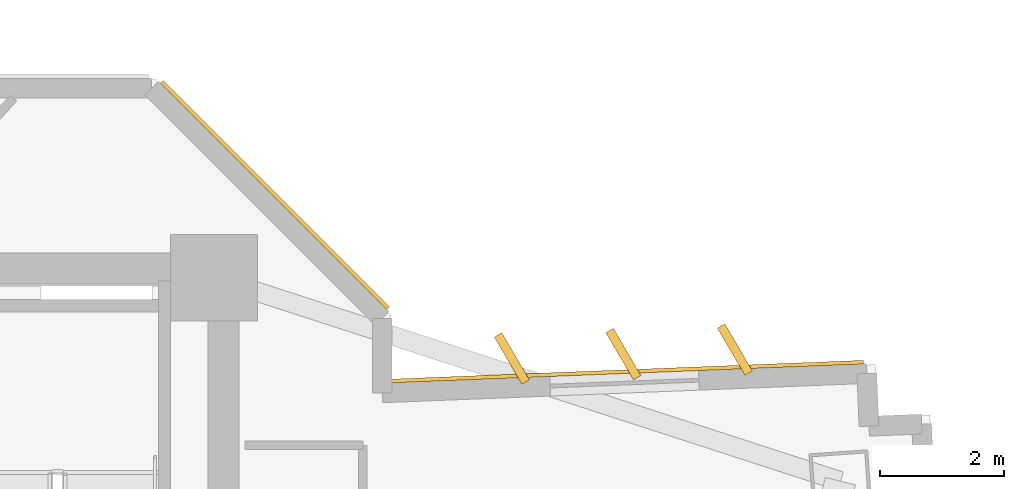
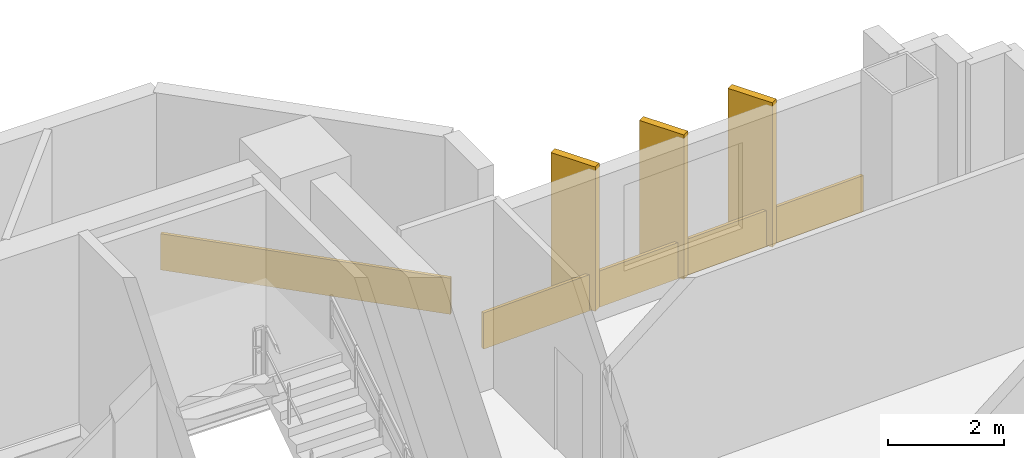
# One storey, part 16 of 16: 5 coverings.
"""IFC4 building model written with IfcOpenShell, lengths in metres."""

from ifc_helpers import new_model, si_unit, direction, frame, origin, origin_2d, place, context, subcontext, project, spatial, rectangle, extrude, source, transform, mapped, material, layer, layer_set, type_object, element, save


model = new_model("IFC4")

# Units and contexts
model_context = context("Model", 3, precision=1e-05, world=origin(), true_north=direction((0.0, 1.0)))
body_context = subcontext(model_context, "Body", "Model", "MODEL_VIEW")
ifc_project = project(units=[si_unit("LENGTHUNIT", "METRE"), si_unit("AREAUNIT", "SQUARE_METRE"), si_unit("VOLUMEUNIT", "CUBIC_METRE"), si_unit("PLANEANGLEUNIT", "RADIAN"), si_unit("MASSUNIT", "GRAM", prefix="KILO")], contexts=[model_context])

# Site, building, storey
site_placement = place(None, origin())
site = spatial("IfcSite", under=ifc_project, at=site_placement, CompositionType="ELEMENT")
building_placement = place(site_placement, origin())
building = spatial("IfcBuilding", under=site, at=building_placement, Name="Zahravan Cultural Tower", CompositionType="ELEMENT")
storey_placement = place(building_placement, frame((0.0, 0.0, 58.5)))
storey = spatial("IfcBuildingStorey", under=building, at=storey_placement, Name="L12", CompositionType="ELEMENT", Elevation=58.5)

# Coverings
ifc_material = material(Name="Terracotta ceramic cladding", Category="masonry")
ifc_layer = layer(ifc_material, 0.06005859375)
ifc_layer_set = layer_set([ifc_layer], Name="Terracotta ceramic cladding")
covering_type = type_object("IfcCoveringType", Name="COV-CLAD-TC60", PredefinedType="CLADDING", material=ifc_layer_set)
shared_shape_1 = source(origin(), body_context, "Body", "SweptSolid", [
    extrude(rectangle(XDim=5.157958984375, YDim=0.06005859375, at=origin_2d()), origin(), (0.0, 0.0, 1.0), 0.760009765625),
])
covering_1_placement = place(storey_placement, frame((51.331787109375, 37.53173828125, 0.02001953125), z_axis=(0.0, 0.0, 1.0), x_axis=(0.707106781187, -0.707106781187, 0.0)))
element("IfcCovering", 1, at=covering_1_placement, inside=storey, type_object=covering_type, Name="L12 Terracotta Spandrel Cladding 53", PredefinedType="CLADDING", context=body_context, shape_type="MappedRepresentation", body=[
    mapped(shared_shape_1, transform((0.0, 0.0, 0.0), x_axis=(1.0, 0.0, 0.0), y_axis=(0.0, 1.0, 0.0), z_axis=(0.0, 0.0, 1.0), scale=1.0)),
])
shared_shape_2 = source(origin(), body_context, "Body", "SweptSolid", [
    extrude(rectangle(XDim=0.8798828125, YDim=0.139892578125, at=origin_2d()), origin(), (0.0, 0.0, 1.0), 3.030029296875),
])
for number, where, z_axis, x_axis, name in (
    (2, (55.150390625, 34.898193359375, 0.0498046875), (0.0, 0.0, 1.0), (-0.504226211181, 0.863571611366, 0.0), "L12 Herringbone Terracotta Fin 01"),
    (3, (56.948974609375, 34.9697265625, 0.0498046875), (0.0, 0.0, 1.0), (-0.504226211181, 0.863571611366, 0.0), "L12 Herringbone Terracotta Fin 02"),
    (4, (58.747314453125, 35.041259765625, 0.0498046875), (0.0, 0.0, 1.0), (-0.504226211181, 0.863571611366, 0.0), "L12 Herringbone Terracotta Fin 03"),
):
    element("IfcCovering", number, at=place(storey_placement, frame(where, z_axis=z_axis, x_axis=x_axis)), inside=storey, type_object=covering_type, Name=name, PredefinedType="CLADDING", context=body_context, shape_type="MappedRepresentation", body=[
        mapped(shared_shape_2, transform((0.0, 0.0, 0.0), x_axis=(1.0, 0.0, 0.0), y_axis=(0.0, 1.0, 0.0), z_axis=(0.0, 0.0, 1.0), scale=1.0)),
    ])
shared_shape_3 = source(origin(), body_context, "Body", "SweptSolid", [
    extrude(rectangle(XDim=7.72119140625, YDim=0.06005859375, at=origin_2d()), origin(), (0.0, 0.0, 1.0), 0.760009765625),
])
covering_2_placement = place(storey_placement, frame((56.960205078125, 34.684814453125, 0.02001953125), z_axis=(0.0, 0.0, 1.0), x_axis=(0.999208342878, 0.039783005453, 0.0)))
element("IfcCovering", 5, at=covering_2_placement, inside=storey, type_object=covering_type, Name="L12 Terracotta Spandrel Cladding 01", PredefinedType="CLADDING", context=body_context, shape_type="MappedRepresentation", body=[
    mapped(shared_shape_3, transform((0.0, 0.0, 0.0), x_axis=(1.0, 0.0, 0.0), y_axis=(0.0, 1.0, 0.0), z_axis=(0.0, 0.0, 1.0), scale=1.0)),
])

save(model, "model.ifc")
